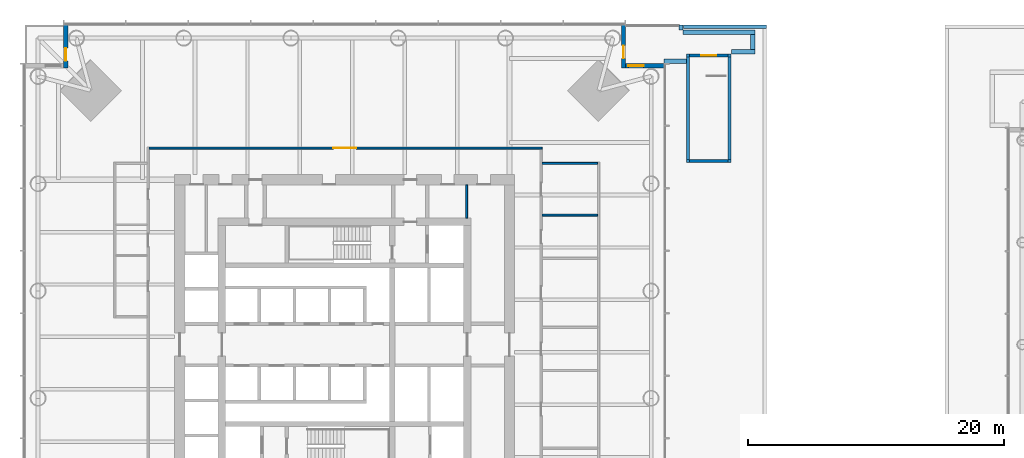
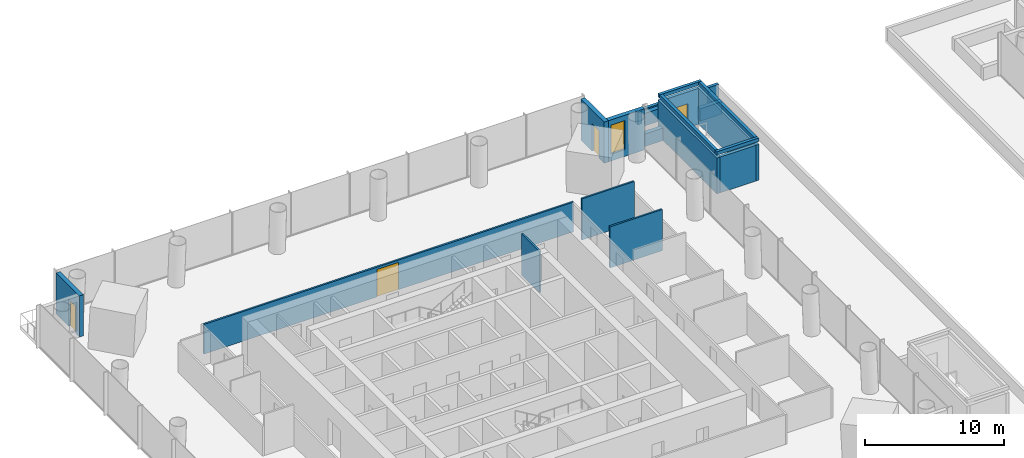
# One storey, part 12 of 19: 21 walls, 4 doors, 1 window, 5 openings.
"""IFC4 building model written with IfcOpenShell, lengths in metres."""

from ifc_helpers import new_model, si_unit, direction, frame, frame_2d, origin, place, context, subcontext, project, spatial, rectangle, extrude, material, layer, layer_set, type_object, element, fill, save


model = new_model("IFC4")

# Units and contexts
model_context = context("Model", 3, precision=1e-05, world=origin(), true_north=direction((0.0, 1.0)))
body_context = subcontext(model_context, "Body", "Model", "MODEL_VIEW")
ifc_project = project(units=[si_unit("LENGTHUNIT", "METRE"), si_unit("AREAUNIT", "SQUARE_METRE"), si_unit("VOLUMEUNIT", "CUBIC_METRE"), si_unit("PLANEANGLEUNIT", "RADIAN"), si_unit("MASSUNIT", "GRAM", prefix="KILO")], contexts=[model_context])

# Site, building, storey
site_placement = place(None, origin())
site = spatial("IfcSite", under=ifc_project, at=site_placement, CompositionType="ELEMENT")
building_placement = place(site_placement, origin())
building = spatial("IfcBuilding", under=site, at=building_placement, Name="Ostroluk Exchange", CompositionType="ELEMENT")
storey_placement = place(building_placement, frame((0.0, 0.0, 21.0)))
storey = spatial("IfcBuildingStorey", under=building, at=storey_placement, Name="L04", CompositionType="ELEMENT", Elevation=21.0)

# Walls
ifc_material_1 = material(Name="Concrete blockwork", Category="masonry")
ifc_layer_1 = layer(ifc_material_1, 0.14990234375)
ifc_layer_set_1 = layer_set([ifc_layer_1], Name="Blockwork plant room wall 150")
wall_type_1 = type_object("IfcWallType", Name="Blockwork plant room wall 150", PredefinedType="SOLIDWALL", material=ifc_layer_set_1)
wall_1_placement = place(storey_placement, frame((54.550048828125, 55.89990234375, 0.0), z_axis=(0.0, 0.0, 1.0), x_axis=(0.0, 1.0, 0.0)))
element("IfcWall", 1, at=wall_1_placement, inside=storey, type_object=wall_type_1, Name="Core room wall", PredefinedType="SOLIDWALL", context=body_context, shape_type="SweptSolid", body=[
    extrude(rectangle(XDim=2.60009765625, YDim=0.14990234375, at=frame_2d((1.300048828125, 0.0))), origin(), (0.0, 0.0, 1.0), 3.6201171875),
])
ifc_material_2 = material(Name="Limestone", Category="masonry")
ifc_layer_2 = layer(ifc_material_2, 0.25)
ifc_layer_set_2 = layer_set([ifc_layer_2], Name="Green roof parapet 250")
wall_type_2 = type_object("IfcWallType", Name="Green roof parapet 250", PredefinedType="PARAPET", material=ifc_layer_set_2)
wall_2_placement = place(storey_placement, frame((71.510009765625, 70.875, 0.0), z_axis=(0.0, 0.0, 1.0), x_axis=(1.0, 0.0, 0.0)))
element("IfcWall", 2, at=wall_2_placement, inside=storey, type_object=wall_type_2, Name="Green roof parapet L04 2", PredefinedType="PARAPET", context=body_context, shape_type="SweptSolid", body=[
    extrude(rectangle(XDim=6.489990234375, YDim=0.25, at=frame_2d((3.2451171875, 0.0))), origin(), (0.0, 0.0, 1.0), 1.10009765625),
])

# Wall, opening, door
ifc_material_3 = material(Name="Limestone", Category="masonry")
ifc_layer_3 = layer(ifc_material_3, 0.35009765625)
ifc_layer_set_3 = layer_set([ifc_layer_3], Name="Limestone facade wall 350")
wall_type_3 = type_object("IfcWallType", Name="Limestone facade wall 350", PredefinedType="SOLIDWALL", material=ifc_layer_set_3)
wall_3_placement = place(storey_placement, frame((66.824951171875, 71.0, 0.0), z_axis=(0.0, 0.0, 1.0), x_axis=(0.0, -1.0, 0.0)))
wall_3 = element("IfcWall", 3, at=wall_3_placement, inside=storey, type_object=wall_type_3, Name="Office tower NE corner wall L04 a", PredefinedType="SOLIDWALL", context=body_context, shape_type="SweptSolid", body=[
    extrude(rectangle(XDim=3.35009765625, YDim=0.35009765625, at=frame_2d((1.675048828125, 0.0))), origin(), (0.0, 0.0, 1.0), 3.6201171875),
])
opening_1_placement = place(wall_3_placement, frame((1.60009765625, 0.0, 0.0)))
opening_1 = element("IfcOpeningElement", 4, at=opening_1_placement, cuts=wall_3, Name="Opening D-B1", PredefinedType="OPENING", context=body_context, shape_type="SweptSolid", body=[
    extrude(rectangle(XDim=1.0, YDim=2.39990234375, at=frame_2d((0.5, 1.199951171875))), frame((0.0, 0.18505859375, 0.0), z_axis=(0.0, -1.0, 0.0), x_axis=(1.0, 0.0, 0.0)), (0.0, 0.0, 1.0), 0.3701171875),
])
ifc_material_4 = material(Name="Bronze framed glazed door", Category="aluminium")
door_type_1 = type_object("IfcDoorType", Name="Balcony door 1000 x 2400", OperationType="SINGLE_SWING_LEFT", PredefinedType="DOOR", material=ifc_material_4)
door_1_placement = place(opening_1_placement, origin())
door_1 = element("IfcDoor", 5, at=door_1_placement, inside=storey, type_object=door_type_1, Name="Office tower NE balcony door L04", OperationType="SINGLE_SWING_RIGHT", OverallHeight=2.39990234375, OverallWidth=1.0, PredefinedType="DOOR", context=body_context, shape_type="SweptSolid", body=[
    extrude(rectangle(XDim=1.0, YDim=2.39990234375, at=frame_2d((0.5, 1.199951171875))), frame((0.0, 0.02490234375, 0.0), z_axis=(0.0, -1.0, 0.0), x_axis=(1.0, 0.0, 0.0)), (0.0, 0.0, 1.0), 0.050048828125),
])
fill(opening_1, door_1)

# Wall, opening, window
wall_4_placement = place(storey_placement, frame((67.0, 67.824951171875, 0.0), z_axis=(0.0, 0.0, 1.0), x_axis=(1.0, 0.0, 0.0)))
wall_4 = element("IfcWall", 6, at=wall_4_placement, inside=storey, type_object=wall_type_3, Name="Office tower NE corner wall L04 b", PredefinedType="SOLIDWALL", context=body_context, shape_type="SweptSolid", body=[
    extrude(rectangle(XDim=3.0, YDim=0.35009765625, at=frame_2d((1.5, 0.0))), origin(), (0.0, 0.0, 1.0), 3.6201171875),
])
opening_2_placement = place(wall_4_placement, frame((0.199951171875, 0.0, 0.60009765625)))
opening_2 = element("IfcOpeningElement", 7, at=opening_2_placement, cuts=wall_4, Name="Opening WN-L1", PredefinedType="OPENING", context=body_context, shape_type="SweptSolid", body=[
    extrude(rectangle(XDim=1.199951171875, YDim=2.550048828125, at=frame_2d((0.60009765625, 1.27490234375))), frame((0.0, 0.18505859375, 0.0), z_axis=(0.0, -1.0, 0.0), x_axis=(1.0, 0.0, 0.0)), (0.0, 0.0, 1.0), 0.3701171875),
])
ifc_material_5 = material(Name="Laminated clear glass", Category="glass")
window_type = type_object("IfcWindowType", Name="Lancet window 1200 x 2550", PartitioningType="SINGLE_PANEL", PredefinedType="WINDOW", material=ifc_material_5)
window_placement = place(opening_2_placement, origin())
window = element("IfcWindow", 8, at=window_placement, inside=storey, type_object=window_type, Name="Office tower NE lancet window L04", OverallHeight=2.550048828125, OverallWidth=1.199951171875, PartitioningType="SINGLE_PANEL", PredefinedType="WINDOW", context=body_context, shape_type="SweptSolid", body=[
    extrude(rectangle(XDim=1.199951171875, YDim=2.550048828125, at=frame_2d((0.60009765625, 1.27490234375))), frame((0.0, 0.030029296875, 0.0), z_axis=(0.0, -1.0, 0.0), x_axis=(1.0, 0.0, 0.0)), (0.0, 0.0, 1.0), 0.06005859375),
])
fill(opening_2, window)

# Wall, opening, door
wall_5_placement = place(storey_placement, frame((23.175048828125, 71.0, 0.0), z_axis=(0.0, 0.0, 1.0), x_axis=(0.0, -1.0, 0.0)))
wall_5 = element("IfcWall", 9, at=wall_5_placement, inside=storey, type_object=wall_type_3, Name="Office tower NW corner wall L04 a", PredefinedType="SOLIDWALL", context=body_context, shape_type="SweptSolid", body=[
    extrude(rectangle(XDim=3.35009765625, YDim=0.35009765625, at=frame_2d((1.675048828125, 0.0))), origin(), (0.0, 0.0, 1.0), 3.6201171875),
])
opening_3_placement = place(wall_5_placement, frame((1.800048828125, 0.0, 0.0)))
opening_3 = element("IfcOpeningElement", 10, at=opening_3_placement, cuts=wall_5, Name="Opening D-B1", PredefinedType="OPENING", context=body_context, shape_type="SweptSolid", body=[
    extrude(rectangle(XDim=1.0, YDim=2.39990234375, at=frame_2d((0.5, 1.199951171875))), frame((0.0, 0.18505859375, 0.0), z_axis=(0.0, -1.0, 0.0), x_axis=(1.0, 0.0, 0.0)), (0.0, 0.0, 1.0), 0.3701171875),
])
door_2_placement = place(opening_3_placement, origin())
door_2 = element("IfcDoor", 11, at=door_2_placement, inside=storey, type_object=door_type_1, Name="Office tower NW balcony door L04", OperationType="SINGLE_SWING_RIGHT", OverallHeight=2.39990234375, OverallWidth=1.0, PredefinedType="DOOR", context=body_context, shape_type="SweptSolid", body=[
    extrude(rectangle(XDim=1.0, YDim=2.39990234375, at=frame_2d((0.5, 1.199951171875))), frame((0.0, 0.02490234375, 0.0), z_axis=(0.0, -1.0, 0.0), x_axis=(1.0, 0.0, 0.0)), (0.0, 0.0, 1.0), 0.050048828125),
])
fill(opening_3, door_2)

# Walls
ifc_material_6 = material(Name="Limestone", Category="masonry")
ifc_layer_4 = layer(ifc_material_6, 0.35009765625)
ifc_layer_set_4 = layer_set([ifc_layer_4], Name="Planter wall 350")
wall_type_4 = type_object("IfcWallType", Name="Planter wall 350", PredefinedType="PARAPET", material=ifc_layer_set_4)
wall_6_placement = place(storey_placement, frame((69.989990234375, 68.175048828125, 0.0), z_axis=(0.0, 0.0, 1.0), x_axis=(1.0, 0.0, 0.0)))
element("IfcWall", 12, at=wall_6_placement, inside=storey, type_object=wall_type_4, Name="Terrace planter wall L04 1", PredefinedType="PARAPET", context=body_context, shape_type="SweptSolid", body=[
    extrude(rectangle(XDim=1.75, YDim=0.35009765625, at=frame_2d((0.875, 0.0))), origin(), (0.0, 0.0, 1.0), 1.10009765625),
])
wall_7_placement = place(storey_placement, frame((71.324951171875, 70.60009765625, 0.0), z_axis=(0.0, 0.0, 1.0), x_axis=(0.0, 1.0, 0.0)))
element("IfcWall", 13, at=wall_7_placement, inside=storey, type_object=wall_type_4, Name="Terrace planter wall L04 2", PredefinedType="PARAPET", context=body_context, shape_type="SweptSolid", body=[
    extrude(rectangle(XDim=0.39990234375, YDim=0.35009765625, at=frame_2d((0.199951171875, 0.0))), origin(), (0.0, 0.0, 1.0), 1.10009765625),
])
wall_8_placement = place(storey_placement, frame((71.5, 70.425048828125, 0.0), z_axis=(0.0, 0.0, 1.0), x_axis=(1.0, 0.0, 0.0)))
element("IfcWall", 14, at=wall_8_placement, inside=storey, type_object=wall_type_4, Name="Terrace planter wall L04 3", PredefinedType="PARAPET", context=body_context, shape_type="SweptSolid", body=[
    extrude(rectangle(XDim=5.60009765625, YDim=0.35009765625, at=frame_2d((2.800048828125, 0.0))), origin(), (0.0, 0.0, 1.0), 1.10009765625),
])
wall_9_placement = place(storey_placement, frame((75.260009765625, 68.925048828125, 0.0), z_axis=(0.0, 0.0, 1.0), x_axis=(1.0, 0.0, 0.0)))
element("IfcWall", 15, at=wall_9_placement, inside=storey, type_object=wall_type_4, Name="Terrace planter wall L04 4", PredefinedType="PARAPET", context=body_context, shape_type="SweptSolid", body=[
    extrude(rectangle(XDim=1.840087890625, YDim=0.35009765625, at=frame_2d((0.919921875, 0.0))), origin(), (0.0, 0.0, 1.0), 1.10009765625),
])
wall_10_placement = place(storey_placement, frame((76.925048828125, 69.10009765625, 0.0), z_axis=(0.0, 0.0, 1.0), x_axis=(0.0, 1.0, 0.0)))
element("IfcWall", 16, at=wall_10_placement, inside=storey, type_object=wall_type_4, Name="Terrace planter wall L04 5", PredefinedType="PARAPET", context=body_context, shape_type="SweptSolid", body=[
    extrude(rectangle(XDim=1.14990234375, YDim=0.35009765625, at=frame_2d((0.574951171875, 0.0))), origin(), (0.0, 0.0, 1.0), 1.10009765625),
])
ifc_material_7 = material(Name="Gypsum plasterboard partition", Category="gypsum")
ifc_layer_5 = layer(ifc_material_7, 0.14990234375)
ifc_layer_set_5 = layer_set([ifc_layer_5], Name="Plasterboard partition 150")
wall_type_5 = type_object("IfcWallType", Name="Plasterboard partition 150", PredefinedType="PARTITIONING", material=ifc_layer_set_5)
for number, where, z_axis, x_axis, name in (
    (17, (60.449951171875, 56.125, 0.0), (0.0, 0.0, 1.0), (1.0, 0.0, 0.0), "Partition"),
    (18, (60.449951171875, 60.175048828125, 0.0), (0.0, 0.0, 1.0), (1.0, 0.0, 0.0), "Partition"),
):
    element("IfcWall", number, at=place(storey_placement, frame(where, z_axis=z_axis, x_axis=x_axis)), inside=storey, type_object=wall_type_5, Name=name, PredefinedType="PARTITIONING", context=body_context, shape_type="SweptSolid", body=[
        extrude(rectangle(XDim=4.35009765625, YDim=0.14990234375, at=frame_2d((2.175048828125, 0.0))), origin(), (0.0, 0.0, 1.0), 3.6201171875),
    ])

# Wall, opening, door
wall_11_placement = place(storey_placement, frame((60.449951171875, 61.375, 0.0), z_axis=(0.0, 0.0, 1.0), x_axis=(-1.0, 0.0, 0.0)))
wall_11 = element("IfcWall", 19, at=wall_11_placement, inside=storey, type_object=wall_type_5, Name="Corridor wall", PredefinedType="PARTITIONING", context=body_context, shape_type="SweptSolid", body=[
    extrude(rectangle(XDim=30.75, YDim=0.14990234375, at=frame_2d((15.375, 0.0))), origin(), (0.0, 0.0, 1.0), 2.612060546875),
])
opening_4_placement = place(wall_11_placement, frame((14.550048828125, 0.0, 0.0)))
opening_4 = element("IfcOpeningElement", 20, at=opening_4_placement, cuts=wall_11, Name="Opening D-04", PredefinedType="OPENING", context=body_context, shape_type="SweptSolid", body=[
    extrude(rectangle(XDim=1.800048828125, YDim=2.39990234375, at=frame_2d((0.89990234375, 1.199951171875))), frame((0.0, 0.0849609375, 0.0), z_axis=(0.0, -1.0, 0.0), x_axis=(1.0, 0.0, 0.0)), (0.0, 0.0, 1.0), 0.169921875),
])
ifc_material_8 = material(Name="Timber", Category="wood")
door_type_2 = type_object("IfcDoorType", Name="Double door 1800 x 2400", OperationType="DOUBLE_DOOR_SINGLE_SWING", PredefinedType="DOOR", material=ifc_material_8)
door_3_placement = place(opening_4_placement, origin())
door_3 = element("IfcDoor", 21, at=door_3_placement, inside=storey, type_object=door_type_2, Name="Open plan office door", OperationType="DOUBLE_DOOR_SINGLE_SWING", OverallHeight=2.39990234375, OverallWidth=1.800048828125, PredefinedType="DOOR", context=body_context, shape_type="SweptSolid", body=[
    extrude(rectangle(XDim=1.800048828125, YDim=2.39990234375, at=frame_2d((0.89990234375, 1.199951171875))), frame((0.0, 0.02490234375, 0.0), z_axis=(0.0, -1.0, 0.0), x_axis=(1.0, 0.0, 0.0)), (0.0, 0.0, 1.0), 0.050048828125),
])
fill(opening_4, door_3)

# Walls
ifc_material_9 = material(Name="Concrete C30/37", Category="concrete")
ifc_layer_6 = layer(ifc_material_9, 0.25)
ifc_layer_set_6 = layer_set([ifc_layer_6], Name="Stair head-house roof upstand 250 EI 120")
wall_type_6 = type_object("IfcWallType", Name="Stair head-house roof upstand 250 EI 120", PredefinedType="PARAPET", material=ifc_layer_set_6)
wall_12_placement = place(storey_placement, frame((71.75, 60.375, 3.39990234375), z_axis=(0.0, 0.0, 1.0), x_axis=(1.0, 0.0, 0.0)))
element("IfcWall", 22, at=wall_12_placement, inside=storey, type_object=wall_type_6, Name="Stair PS4 head-house roof upstand 1", PredefinedType="PARAPET", context=body_context, shape_type="SweptSolid", body=[
    extrude(rectangle(XDim=3.5, YDim=0.25, at=frame_2d((1.75, 0.0))), origin(), (0.0, 0.0, 1.0), 0.300048828125),
])
wall_13_placement = place(storey_placement, frame((71.875, 60.5, 3.39990234375), z_axis=(0.0, 0.0, 1.0), x_axis=(0.0, 1.0, 0.0)))
element("IfcWall", 23, at=wall_13_placement, inside=storey, type_object=wall_type_6, Name="Stair PS4 head-house roof upstand 2", PredefinedType="PARAPET", context=body_context, shape_type="SweptSolid", body=[
    extrude(rectangle(XDim=8.0, YDim=0.25, at=frame_2d((4.0, 0.0))), origin(), (0.0, 0.0, 1.0), 0.300048828125),
])
wall_14_placement = place(storey_placement, frame((71.75, 68.625, 3.39990234375), z_axis=(0.0, 0.0, 1.0), x_axis=(1.0, 0.0, 0.0)))
element("IfcWall", 24, at=wall_14_placement, inside=storey, type_object=wall_type_6, Name="Stair PS4 head-house roof upstand 3", PredefinedType="PARAPET", context=body_context, shape_type="SweptSolid", body=[
    extrude(rectangle(XDim=3.5, YDim=0.25, at=frame_2d((1.75, 0.0))), origin(), (0.0, 0.0, 1.0), 0.300048828125),
])
wall_15_placement = place(storey_placement, frame((75.125, 60.5, 3.39990234375), z_axis=(0.0, 0.0, 1.0), x_axis=(0.0, 1.0, 0.0)))
element("IfcWall", 25, at=wall_15_placement, inside=storey, type_object=wall_type_6, Name="Stair PS4 head-house roof upstand 4", PredefinedType="PARAPET", context=body_context, shape_type="SweptSolid", body=[
    extrude(rectangle(XDim=8.0, YDim=0.25, at=frame_2d((4.0, 0.0))), origin(), (0.0, 0.0, 1.0), 0.300048828125),
])
ifc_material_10 = material(Name="Concrete blockwork, load-bearing", Category="masonry")
ifc_layer_7 = layer(ifc_material_10, 0.25)
ifc_layer_set_7 = layer_set([ifc_layer_7], Name="Stair head-house wall, load-bearing blockwork 250, EI 120")
wall_type_7 = type_object("IfcWallType", Name="Stair head-house wall, load-bearing blockwork 250, EI 120", PredefinedType="SOLIDWALL", material=ifc_layer_set_7)
for number, where, z_axis, x_axis, name in (
    (26, (71.875, 60.25, 0.0), (0.0, 0.0, 1.0), (0.0, 1.0, 0.0), "Stair PS4 enclosure wall"),
    (27, (75.125, 60.25, 0.0), (0.0, 0.0, 1.0), (0.0, 1.0, 0.0), "Stair PS4 enclosure wall"),
):
    element("IfcWall", number, at=place(storey_placement, frame(where, z_axis=z_axis, x_axis=x_axis)), inside=storey, type_object=wall_type_7, Name=name, PredefinedType="SOLIDWALL", context=body_context, shape_type="SweptSolid", body=[
        extrude(rectangle(XDim=8.5, YDim=0.25, at=frame_2d((4.25, 0.0))), origin(), (0.0, 0.0, 1.0), 3.14990234375),
    ])
wall_16_placement = place(storey_placement, frame((72.0, 60.375, 0.0), z_axis=(0.0, 0.0, 1.0), x_axis=(1.0, 0.0, 0.0)))
element("IfcWall", 28, at=wall_16_placement, inside=storey, type_object=wall_type_7, Name="Stair PS4 enclosure wall", PredefinedType="SOLIDWALL", context=body_context, shape_type="SweptSolid", body=[
    extrude(rectangle(XDim=3.0, YDim=0.25, at=frame_2d((1.5, 0.0))), origin(), (0.0, 0.0, 1.0), 3.14990234375),
])

# Wall, opening, door
wall_17_placement = place(storey_placement, frame((72.0, 68.625, 0.0), z_axis=(0.0, 0.0, 1.0), x_axis=(1.0, 0.0, 0.0)))
wall_17 = element("IfcWall", 29, at=wall_17_placement, inside=storey, type_object=wall_type_7, Name="Stair PS4 enclosure wall", PredefinedType="SOLIDWALL", context=body_context, shape_type="SweptSolid", body=[
    extrude(rectangle(XDim=3.0, YDim=0.25, at=frame_2d((1.5, 0.0))), origin(), (0.0, 0.0, 1.0), 3.14990234375),
])
opening_5_placement = place(wall_17_placement, frame((0.89990234375, 0.0, 0.0)))
opening_5 = element("IfcOpeningElement", 30, at=opening_5_placement, cuts=wall_17, Name="Opening FD60S", PredefinedType="OPENING", context=body_context, shape_type="SweptSolid", body=[
    extrude(rectangle(XDim=1.199951171875, YDim=2.10009765625, at=frame_2d((0.60009765625, 1.050048828125))), frame((0.0, 0.135009765625, 0.0), z_axis=(0.0, -1.0, 0.0), x_axis=(1.0, 0.0, 0.0)), (0.0, 0.0, 1.0), 0.27001953125),
])
ifc_material_11 = material(Name="Steel", Category="steel")
door_type_3 = type_object("IfcDoorType", Name="Stair door EI 60 1200 x 2100", OperationType="SINGLE_SWING_LEFT", PredefinedType="DOOR", material=ifc_material_11)
door_4_placement = place(opening_5_placement, origin())
door_4 = element("IfcDoor", 31, at=door_4_placement, inside=storey, type_object=door_type_3, Name="Stair PS4 door", OperationType="SINGLE_SWING_LEFT", OverallHeight=2.10009765625, OverallWidth=1.199951171875, PredefinedType="DOOR", context=body_context, shape_type="SweptSolid", body=[
    extrude(rectangle(XDim=1.199951171875, YDim=2.10009765625, at=frame_2d((0.60009765625, 1.050048828125))), frame((0.0, 0.02490234375, 0.0), z_axis=(0.0, -1.0, 0.0), x_axis=(1.0, 0.0, 0.0)), (0.0, 0.0, 1.0), 0.050048828125),
])
fill(opening_5, door_4)

save(model, "model.ifc")
